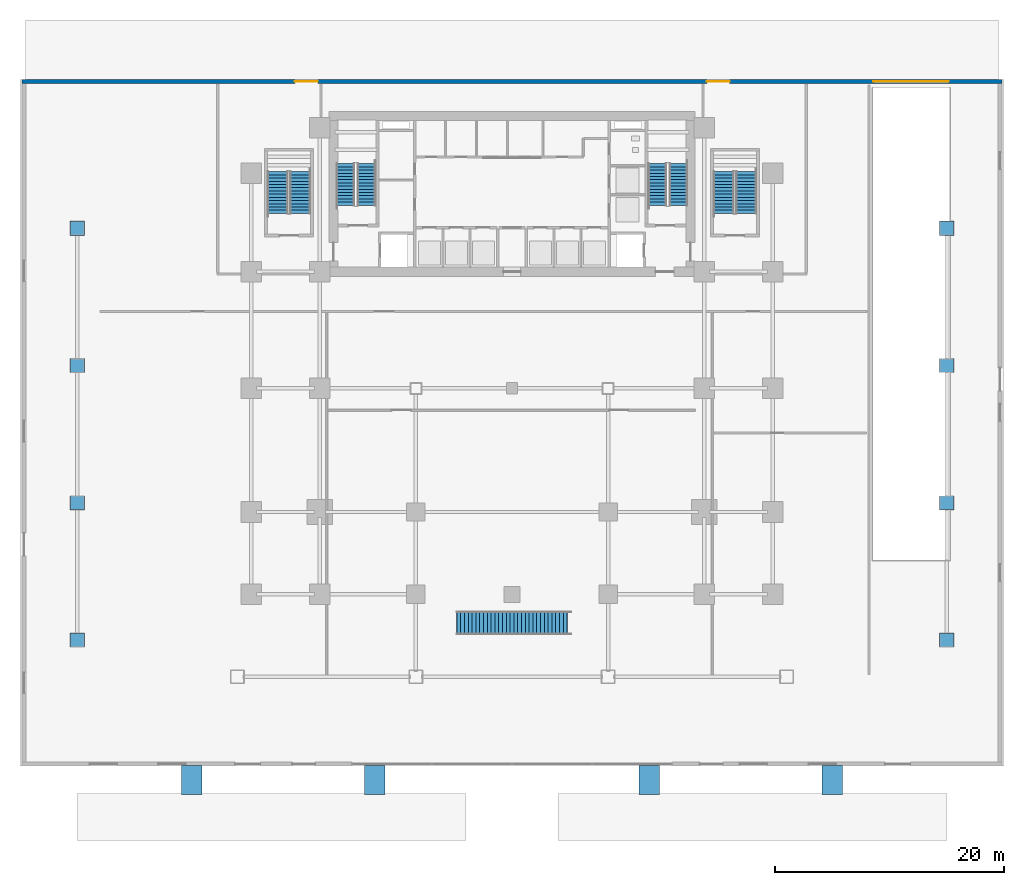
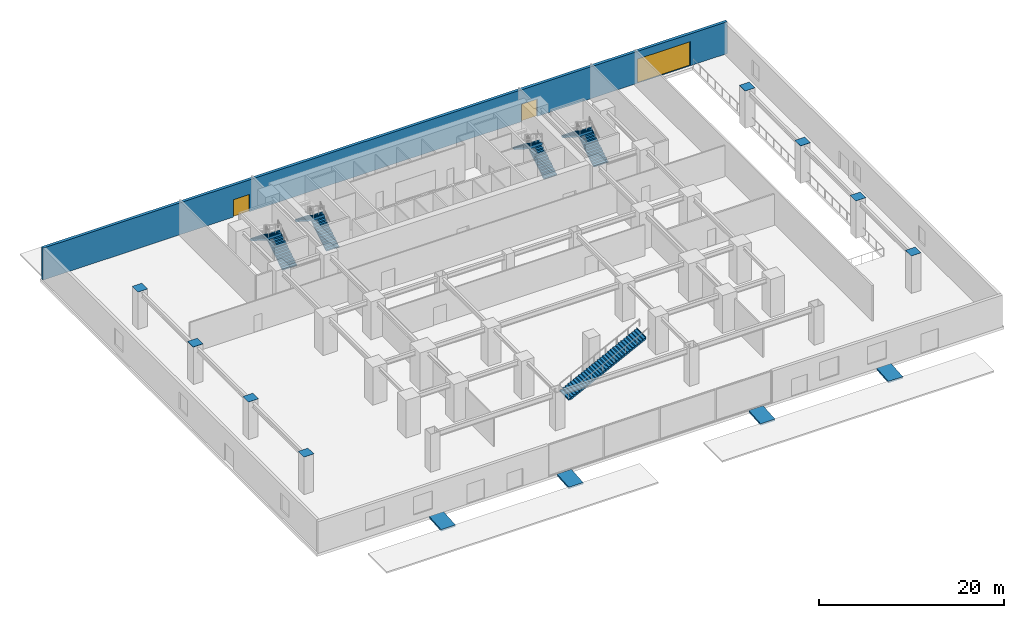
# One storey, part 12 of 18: 9 stair flights, 8 discrete accessories, 4 ramp flights, 3 doors, 1 wall, 3 openings, 9 elements without a shape of their own.
"""IFC4 building model written with IfcOpenShell, lengths in metres."""

from ifc_helpers import new_model, si_unit, direction, frame, frame_2d, origin, origin_2d, place, context, subcontext, project, spatial, polyline, rectangle, outline, extrude, source, transform, mapped, material, layer, layer_set, type_object, element, fill, aggregate, save


model = new_model("IFC4")

# Units and contexts
model_context = context("Model", 3, precision=1e-05, world=origin(), true_north=direction((0.0, 1.0)))
body_context = subcontext(model_context, "Body", "Model", "MODEL_VIEW")
ifc_project = project(units=[si_unit("LENGTHUNIT", "METRE"), si_unit("AREAUNIT", "SQUARE_METRE"), si_unit("VOLUMEUNIT", "CUBIC_METRE"), si_unit("PLANEANGLEUNIT", "RADIAN"), si_unit("MASSUNIT", "GRAM", prefix="KILO")], contexts=[model_context])

# Site, building, storey
site_placement = place(None, origin())
site = spatial("IfcSite", under=ifc_project, at=site_placement, CompositionType="ELEMENT")
building_placement = place(site_placement, origin())
building = spatial("IfcBuilding", under=site, at=building_placement, Name="Sumidabori Civic Tower", CompositionType="ELEMENT")
storey_placement = place(building_placement, origin())
storey = spatial("IfcBuildingStorey", under=building, at=storey_placement, Name="L00", CompositionType="ELEMENT", Elevation=0.0)

# Wall, openings, doors
ifc_material_1 = material(Name="Precast concrete C40/50", Category="concrete")
ifc_layer_1 = layer(ifc_material_1, 0.360107421875, Name="Precast concrete C40/50")
ifc_layer_set_1 = layer_set([ifc_layer_1], Name="Precast concrete C40/50")
wall_type = type_object("IfcWallType", Name="WL-EXT-POD360", PredefinedType="STANDARD", material=ifc_layer_set_1)
shared_shape_1 = source(origin(), body_context, "Body", "SweptSolid", [
    extrude(rectangle(XDim=85.64013671875, YDim=0.360107421875, at=frame_2d((42.820068359375, 0.0))), origin(), (0.0, 0.0, 1.0), 4.219970703125),
])
wall_placement = place(storey_placement, frame((-42.820068359375, 26.820068359375, 0.0), z_axis=(0.0, 0.0, 1.0), x_axis=(1.0, 0.0, 0.0)))
wall = element("IfcWall", 1, at=wall_placement, inside=storey, type_object=wall_type, Name="Podium North Precast Wall", PredefinedType="STANDARD", context=body_context, shape_type="MappedRepresentation", body=[
    mapped(shared_shape_1, transform((0.0, 0.0, 0.0), x_axis=(1.0, 0.0, 0.0), y_axis=(0.0, 1.0, 0.0), z_axis=(0.0, 0.0, 1.0), scale=1.0)),
])
opening_1_placement = place(wall_placement, frame((23.85009765625, 0.0, 0.0)))
opening_1 = element("IfcOpeningElement", 2, at=opening_1_placement, cuts=wall, Name="Opening EX-2", PredefinedType="OPENING", context=body_context, shape_type="SweptSolid", body=[
    extrude(rectangle(XDim=2.0, YDim=2.300048828125, at=frame_2d((1.0, 1.14990234375))), frame((0.0, 0.19189453125, 0.0), z_axis=(0.0, -1.0, 0.0), x_axis=(1.0, 0.0, 0.0)), (0.0, 0.0, 1.0), 0.384033203125),
])
opening_2_placement = place(wall_placement, frame((59.85009765625, 0.0, 0.0)))
opening_2 = element("IfcOpeningElement", 3, at=opening_2_placement, cuts=wall, Name="Opening EX-2", PredefinedType="OPENING", context=body_context, shape_type="SweptSolid", body=[
    extrude(rectangle(XDim=2.0, YDim=2.300048828125, at=frame_2d((1.0, 1.14990234375))), frame((0.0, 0.19189453125, 0.0), z_axis=(0.0, -1.0, 0.0), x_axis=(1.0, 0.0, 0.0)), (0.0, 0.0, 1.0), 0.384033203125),
])
opening_3_placement = place(wall_placement, frame((74.39990234375, 0.0, 0.0)))
opening_3 = element("IfcOpeningElement", 4, at=opening_3_placement, cuts=wall, Name="Opening VG-01", PredefinedType="OPENING", context=body_context, shape_type="SweptSolid", body=[
    extrude(rectangle(XDim=6.60009765625, YDim=3.199951171875, at=frame_2d((3.300048828125, 1.60009765625))), frame((0.0, 0.19189453125, 0.0), z_axis=(0.0, -1.0, 0.0), x_axis=(1.0, 0.0, 0.0)), (0.0, 0.0, 1.0), 0.384033203125),
])
ifc_material_2 = material(Name="Anodised Bronze Aluminium AW-6063-T6", Category="aluminium")
door_type_1 = type_object("IfcDoorType", Name="DR-EXT-EXIT", OperationType="DOUBLE_DOOR_SINGLE_SWING", PredefinedType="DOOR", material=ifc_material_2)
shared_shape_2 = source(origin(), body_context, "Body", "SweptSolid", [
    extrude(rectangle(XDim=2.0, YDim=2.300048828125, at=frame_2d((1.0, 1.14990234375))), frame((0.0, 0.02490234375, 0.0), z_axis=(0.0, -1.0, 0.0), x_axis=(1.0, 0.0, 0.0)), (0.0, 0.0, 1.0), 0.050048828125),
])
door_1_placement = place(opening_1_placement, origin())
door_1 = element("IfcDoor", 5, at=door_1_placement, inside=storey, type_object=door_type_1, Name="Exit Passage West Final Exit Door EX-2", OperationType="DOUBLE_DOOR_SINGLE_SWING", OverallHeight=2.300048828125, OverallWidth=2.0, PredefinedType="DOOR", context=body_context, shape_type="MappedRepresentation", body=[
    mapped(shared_shape_2, transform((0.0, 0.0, 0.0), x_axis=(1.0, 0.0, 0.0), y_axis=(0.0, 1.0, 0.0), z_axis=(0.0, 0.0, 1.0), scale=1.0)),
])
fill(opening_1, door_1)
door_2_placement = place(opening_2_placement, origin())
door_2 = element("IfcDoor", 6, at=door_2_placement, inside=storey, type_object=door_type_1, Name="Exit Passage East Final Exit Door EX-2", OperationType="DOUBLE_DOOR_SINGLE_SWING", OverallHeight=2.300048828125, OverallWidth=2.0, PredefinedType="DOOR", context=body_context, shape_type="MappedRepresentation", body=[
    mapped(shared_shape_2, transform((0.0, 0.0, 0.0), x_axis=(1.0, 0.0, 0.0), y_axis=(0.0, 1.0, 0.0), z_axis=(0.0, 0.0, 1.0), scale=1.0)),
])
fill(opening_2, door_2)
door_type_2 = type_object("IfcDoorType", Name="DR-VG-6600", OperationType="ROLLINGUP", PredefinedType="DOOR", material=ifc_material_2)
shared_shape_3 = source(origin(), body_context, "Body", "SweptSolid", [
    extrude(rectangle(XDim=6.60009765625, YDim=3.199951171875, at=frame_2d((3.300048828125, 1.60009765625))), frame((0.0, 0.02490234375, 0.0), z_axis=(0.0, -1.0, 0.0), x_axis=(1.0, 0.0, 0.0)), (0.0, 0.0, 1.0), 0.050048828125),
])
door_3_placement = place(opening_3_placement, origin())
door_3 = element("IfcDoor", 7, at=door_3_placement, inside=storey, type_object=door_type_2, Name="Vehicle Ramp Roller Shutter Gate VG-01", OperationType="ROLLINGUP", OverallHeight=3.199951171875, OverallWidth=6.60009765625, PredefinedType="DOOR", context=body_context, shape_type="MappedRepresentation", body=[
    mapped(shared_shape_3, transform((0.0, 0.0, 0.0), x_axis=(1.0, 0.0, 0.0), y_axis=(0.0, 1.0, 0.0), z_axis=(0.0, 0.0, 1.0), scale=1.0)),
])
fill(opening_3, door_3)

# Stair, stair flights
ifc_material_3 = material(Name="Concrete C40/50", Category="concrete")
stair_type_1 = type_object("IfcStairType", Name="ST-CORE-1600", PredefinedType="HALF_TURN_STAIR", material=ifc_material_3)
stair_1_placement = place(storey_placement, origin())
stair_1 = element("IfcStair", 8, at=stair_1_placement, inside=storey, type_object=stair_type_1, Name="L00 ST-1", PredefinedType="HALF_TURN_STAIR")
stair_flight_type_1 = type_object("IfcStairFlightType", Name="SF-CORE-1600", PredefinedType="STRAIGHT", material=ifc_material_3)
shared_shape_4 = source(origin(), body_context, "Body", "SweptSolid", [
    extrude(outline(polyline([(-0.02490234375, 0.0), (-0.02490234375, 0.0400390625), (0.0, 0.0400390625), (0.0, 0.178466796875), (0.280029296875, 0.178466796875), (0.280029296875, 0.357177734375), (0.56005859375, 0.357177734375), (0.56005859375, 0.53564453125), (0.840087890625, 0.53564453125), (0.840087890625, 0.71435546875), (1.1201171875, 0.71435546875), (1.1201171875, 0.892822265625), (1.39990234375, 0.892822265625), (1.39990234375, 1.071533203125), (1.679931640625, 1.071533203125), (1.679931640625, 1.25), (1.9599609375, 1.25), (1.9599609375, 1.428466796875), (2.239990234375, 1.428466796875), (2.239990234375, 1.607177734375), (2.52001953125, 1.607177734375), (2.52001953125, 1.78564453125), (2.800048828125, 1.78564453125), (2.800048828125, 1.96435546875), (3.080078125, 1.96435546875), (3.080078125, 2.142822265625), (3.360107421875, 2.142822265625), (3.360107421875, 2.321533203125), (3.639892578125, 2.321533203125), (3.639892578125, 2.5), (3.6650390625, 2.5), (3.6650390625, 2.35009765625), (3.639892578125, 2.1435546875), (0.27880859375, 0.0), (-0.02490234375, 0.0)])), frame((0.0, 0.800048828125, 0.0), z_axis=(0.0, -1.0, 0.0), x_axis=(1.0, 0.0, 0.0)), (0.0, 0.0, 1.0), 1.60009765625),
])
stair_flight_1_placement = place(storey_placement, frame((-12.699951171875, 16.0, 0.0), z_axis=(0.0, 0.0, 1.0), x_axis=(0.0, 1.0, 0.0)))
stair_flight_1 = element("IfcStairFlight", 9, at=stair_flight_1_placement, type_object=stair_flight_type_1, Name="ST-1 flight 1", NumberOfRisers=14, NumberOfTreads=13, PredefinedType="STRAIGHT", RiserHeight=0.178571429, TreadLength=0.28, context=body_context, shape_type="MappedRepresentation", body=[
    mapped(shared_shape_4, transform((0.0, 0.0, 0.0), x_axis=(1.0, 0.0, 0.0), y_axis=(0.0, 1.0, 0.0), z_axis=(0.0, 0.0, 1.0), scale=1.0)),
])
stair_flight_2_placement = place(storey_placement, frame((-14.5400390625, 19.639892578125, 2.5), z_axis=(0.0, 0.0, 1.0), x_axis=(0.0, -1.0, 0.0)))
stair_flight_2 = element("IfcStairFlight", 10, at=stair_flight_2_placement, type_object=stair_flight_type_1, Name="ST-1 flight 2", NumberOfRisers=14, NumberOfTreads=13, PredefinedType="STRAIGHT", RiserHeight=0.178571429, TreadLength=0.28, context=body_context, shape_type="MappedRepresentation", body=[
    mapped(shared_shape_4, transform((0.0, 0.0, 0.0), x_axis=(1.0, 0.0, 0.0), y_axis=(0.0, 1.0, 0.0), z_axis=(0.0, 0.0, 1.0), scale=1.0)),
])
aggregate(stair_1, [stair_flight_1, stair_flight_2])

stair_2_placement = place(storey_placement, origin())
stair_2 = element("IfcStair", 11, at=stair_2_placement, inside=storey, type_object=stair_type_1, Name="L00 ST-2", PredefinedType="HALF_TURN_STAIR")
stair_flight_3_placement = place(storey_placement, frame((14.5400390625, 16.0, 0.0), z_axis=(0.0, 0.0, 1.0), x_axis=(0.0, 1.0, 0.0)))
stair_flight_3 = element("IfcStairFlight", 12, at=stair_flight_3_placement, type_object=stair_flight_type_1, Name="ST-2 flight 1", NumberOfRisers=14, NumberOfTreads=13, PredefinedType="STRAIGHT", RiserHeight=0.178571429, TreadLength=0.28, context=body_context, shape_type="MappedRepresentation", body=[
    mapped(shared_shape_4, transform((0.0, 0.0, 0.0), x_axis=(1.0, 0.0, 0.0), y_axis=(0.0, 1.0, 0.0), z_axis=(0.0, 0.0, 1.0), scale=1.0)),
])
stair_flight_4_placement = place(storey_placement, frame((12.699951171875, 19.639892578125, 2.5), z_axis=(0.0, 0.0, 1.0), x_axis=(0.0, -1.0, 0.0)))
stair_flight_4 = element("IfcStairFlight", 13, at=stair_flight_4_placement, type_object=stair_flight_type_1, Name="ST-2 flight 2", NumberOfRisers=14, NumberOfTreads=13, PredefinedType="STRAIGHT", RiserHeight=0.178571429, TreadLength=0.28, context=body_context, shape_type="MappedRepresentation", body=[
    mapped(shared_shape_4, transform((0.0, 0.0, 0.0), x_axis=(1.0, 0.0, 0.0), y_axis=(0.0, 1.0, 0.0), z_axis=(0.0, 0.0, 1.0), scale=1.0)),
])
aggregate(stair_2, [stair_flight_3, stair_flight_4])

stair_type_2 = type_object("IfcStairType", Name="ST-POD-1800", PredefinedType="HALF_TURN_STAIR", material=ifc_material_3)
stair_3_placement = place(storey_placement, origin())
stair_3 = element("IfcStair", 14, at=stair_3_placement, inside=storey, type_object=stair_type_2, Name="L00 ST-3", PredefinedType="HALF_TURN_STAIR")
stair_flight_type_2 = type_object("IfcStairFlightType", Name="SF-POD-1800", PredefinedType="STRAIGHT", material=ifc_material_3)
shared_shape_5 = source(origin(), body_context, "Body", "SweptSolid", [
    extrude(outline(polyline([(-0.02490234375, 0.0), (-0.02490234375, 0.0400390625), (0.0, 0.0400390625), (0.0, 0.178466796875), (0.280029296875, 0.178466796875), (0.280029296875, 0.357177734375), (0.56005859375, 0.357177734375), (0.56005859375, 0.53564453125), (0.840087890625, 0.53564453125), (0.840087890625, 0.71435546875), (1.1201171875, 0.71435546875), (1.1201171875, 0.892822265625), (1.39990234375, 0.892822265625), (1.39990234375, 1.071533203125), (1.679931640625, 1.071533203125), (1.679931640625, 1.25), (1.9599609375, 1.25), (1.9599609375, 1.428466796875), (2.239990234375, 1.428466796875), (2.239990234375, 1.607177734375), (2.52001953125, 1.607177734375), (2.52001953125, 1.78564453125), (2.800048828125, 1.78564453125), (2.800048828125, 1.96435546875), (3.080078125, 1.96435546875), (3.080078125, 2.142822265625), (3.360107421875, 2.142822265625), (3.360107421875, 2.321533203125), (3.639892578125, 2.321533203125), (3.639892578125, 2.5), (3.6650390625, 2.5), (3.6650390625, 2.35009765625), (3.639892578125, 2.1435546875), (0.27880859375, 0.0), (-0.02490234375, 0.0)])), frame((0.0, 0.89990234375, 0.0), z_axis=(0.0, -1.0, 0.0), x_axis=(1.0, 0.0, 0.0)), (0.0, 0.0, 1.0), 1.800048828125),
])
stair_flight_5_placement = place(storey_placement, frame((-18.5, 15.300048828125, 0.0), z_axis=(0.0, 0.0, 1.0), x_axis=(0.0, 1.0, 0.0)))
stair_flight_5 = element("IfcStairFlight", 15, at=stair_flight_5_placement, type_object=stair_flight_type_2, Name="ST-3 flight 1", NumberOfRisers=14, NumberOfTreads=13, PredefinedType="STRAIGHT", RiserHeight=0.178571429, TreadLength=0.28, context=body_context, shape_type="MappedRepresentation", body=[
    mapped(shared_shape_5, transform((0.0, 0.0, 0.0), x_axis=(1.0, 0.0, 0.0), y_axis=(0.0, 1.0, 0.0), z_axis=(0.0, 0.0, 1.0), scale=1.0)),
])
stair_flight_6_placement = place(storey_placement, frame((-20.4599609375, 18.93994140625, 2.5), z_axis=(0.0, 0.0, 1.0), x_axis=(0.0, -1.0, 0.0)))
stair_flight_6 = element("IfcStairFlight", 16, at=stair_flight_6_placement, type_object=stair_flight_type_2, Name="ST-3 flight 2", NumberOfRisers=14, NumberOfTreads=13, PredefinedType="STRAIGHT", RiserHeight=0.178571429, TreadLength=0.28, context=body_context, shape_type="MappedRepresentation", body=[
    mapped(shared_shape_5, transform((0.0, 0.0, 0.0), x_axis=(1.0, 0.0, 0.0), y_axis=(0.0, 1.0, 0.0), z_axis=(0.0, 0.0, 1.0), scale=1.0)),
])
aggregate(stair_3, [stair_flight_5, stair_flight_6])

stair_4_placement = place(storey_placement, origin())
stair_4 = element("IfcStair", 17, at=stair_4_placement, inside=storey, type_object=stair_type_2, Name="L00 ST-4", PredefinedType="HALF_TURN_STAIR")
stair_flight_7_placement = place(storey_placement, frame((20.4599609375, 15.300048828125, 0.0), z_axis=(0.0, 0.0, 1.0), x_axis=(0.0, 1.0, 0.0)))
stair_flight_7 = element("IfcStairFlight", 18, at=stair_flight_7_placement, type_object=stair_flight_type_2, Name="ST-4 flight 1", NumberOfRisers=14, NumberOfTreads=13, PredefinedType="STRAIGHT", RiserHeight=0.178571429, TreadLength=0.28, context=body_context, shape_type="MappedRepresentation", body=[
    mapped(shared_shape_5, transform((0.0, 0.0, 0.0), x_axis=(1.0, 0.0, 0.0), y_axis=(0.0, 1.0, 0.0), z_axis=(0.0, 0.0, 1.0), scale=1.0)),
])
stair_flight_8_placement = place(storey_placement, frame((18.5, 18.93994140625, 2.5), z_axis=(0.0, 0.0, 1.0), x_axis=(0.0, -1.0, 0.0)))
stair_flight_8 = element("IfcStairFlight", 19, at=stair_flight_8_placement, type_object=stair_flight_type_2, Name="ST-4 flight 2", NumberOfRisers=14, NumberOfTreads=13, PredefinedType="STRAIGHT", RiserHeight=0.178571429, TreadLength=0.28, context=body_context, shape_type="MappedRepresentation", body=[
    mapped(shared_shape_5, transform((0.0, 0.0, 0.0), x_axis=(1.0, 0.0, 0.0), y_axis=(0.0, 1.0, 0.0), z_axis=(0.0, 0.0, 1.0), scale=1.0)),
])
aggregate(stair_4, [stair_flight_7, stair_flight_8])

# Stair, stair flight
stair_type_3 = type_object("IfcStairType", Name="ST-POD-2000", PredefinedType="STRAIGHT_RUN_STAIR", material=ifc_material_3)
stair_5_placement = place(storey_placement, origin())
stair_5 = element("IfcStair", 20, at=stair_5_placement, inside=storey, type_object=stair_type_3, Name="Feature Stair ST:L00:ATR-1", PredefinedType="STRAIGHT_RUN_STAIR")
stair_flight_type_3 = type_object("IfcStairFlightType", Name="SF-POD-2000", PredefinedType="STRAIGHT", material=ifc_material_3)
shared_shape_6 = source(origin(), body_context, "Body", "SweptSolid", [
    extrude(outline(polyline([(-0.02490234375, 0.0), (-0.02490234375, 0.0400390625), (0.0, 0.0400390625), (0.0, 0.166748046875), (0.33251953125, 0.166748046875), (0.33251953125, 0.333251953125), (0.664794921875, 0.333251953125), (0.664794921875, 0.5), (0.997314453125, 0.5), (0.997314453125, 0.666748046875), (1.32958984375, 0.666748046875), (1.32958984375, 0.833251953125), (1.662109375, 0.833251953125), (1.662109375, 1.0), (1.994384765625, 1.0), (1.994384765625, 1.166748046875), (2.326904296875, 1.166748046875), (2.326904296875, 1.333251953125), (2.659423828125, 1.333251953125), (2.659423828125, 1.5), (2.99169921875, 1.5), (2.99169921875, 1.666748046875), (3.32421875, 1.666748046875), (3.32421875, 1.833251953125), (3.656494140625, 1.833251953125), (3.656494140625, 2.0), (3.989013671875, 2.0), (3.989013671875, 2.166748046875), (4.3212890625, 2.166748046875), (4.3212890625, 2.333251953125), (4.65380859375, 2.333251953125), (4.65380859375, 2.5), (4.986328125, 2.5), (4.986328125, 2.666748046875), (5.318603515625, 2.666748046875), (5.318603515625, 2.833251953125), (5.651123046875, 2.833251953125), (5.651123046875, 3.0), (5.9833984375, 3.0), (5.9833984375, 3.166748046875), (6.31591796875, 3.166748046875), (6.31591796875, 3.333251953125), (6.648193359375, 3.333251953125), (6.648193359375, 3.5), (6.980712890625, 3.5), (6.980712890625, 3.666748046875), (7.31298828125, 3.666748046875), (7.31298828125, 3.833251953125), (7.6455078125, 3.833251953125), (7.6455078125, 4.0), (7.97802734375, 4.0), (7.97802734375, 4.166748046875), (8.310302734375, 4.166748046875), (8.310302734375, 4.333251953125), (8.642822265625, 4.333251953125), (8.642822265625, 4.5), (8.97509765625, 4.5), (8.97509765625, 4.666748046875), (9.3076171875, 4.666748046875), (9.3076171875, 4.833251953125), (9.639892578125, 4.833251953125), (9.639892578125, 5.0), (9.6650390625, 5.0), (9.6650390625, 4.85009765625), (9.639892578125, 4.66552734375), (0.33447265625, 0.0), (-0.02490234375, 0.0)])), frame((0.0, 1.0, 0.0), z_axis=(0.0, -1.0, 0.0), x_axis=(1.0, 0.0, 0.0)), (0.0, 0.0, 1.0), 2.0),
])
stair_flight_9_placement = place(storey_placement, frame((-4.820068359375, -20.5, 0.0), z_axis=(0.0, 0.0, 1.0), x_axis=(1.0, 0.0, 0.0)))
stair_flight_9 = element("IfcStairFlight", 21, at=stair_flight_9_placement, type_object=stair_flight_type_3, Name="ST-P1 flight 1", NumberOfRisers=30, NumberOfTreads=29, PredefinedType="STRAIGHT", RiserHeight=0.166666667, TreadLength=0.332413793, context=body_context, shape_type="MappedRepresentation", body=[
    mapped(shared_shape_6, transform((0.0, 0.0, 0.0), x_axis=(1.0, 0.0, 0.0), y_axis=(0.0, 1.0, 0.0), z_axis=(0.0, 0.0, 1.0), scale=1.0)),
])
aggregate(stair_5, [stair_flight_9])

# Ramp, ramp flight
ramp_type = type_object("IfcRampType", Name="RM-ACC-1800", PredefinedType="STRAIGHT_RUN_RAMP", material=ifc_material_3)
ramp_1_placement = place(storey_placement, origin())
ramp_1 = element("IfcRamp", 22, at=ramp_1_placement, inside=storey, type_object=ramp_type, Name="Accessible Forecourt Ramp RA-1", PredefinedType="STRAIGHT_RUN_RAMP")
ifc_layer_2 = layer(ifc_material_3, 0.219970703125, Name="Concrete C40/50")
ifc_layer_set_2 = layer_set([ifc_layer_2], Name="Concrete C40/50")
ramp_flight_type = type_object("IfcRampFlightType", Name="RF-ACC-1800", PredefinedType="STRAIGHT", material=ifc_layer_set_2)
ramp_flight_1_placement = place(storey_placement, frame((-28.0, -35.47998046875, -0.199951171875), z_axis=(0.0, 0.0, 1.0), x_axis=(0.0, 1.0, 0.0)))
ramp_flight_1 = element("IfcRampFlight", 23, at=ramp_flight_1_placement, type_object=ramp_flight_type, Name="Accessible Forecourt Ramp Flight RFA-1", PredefinedType="STRAIGHT", context=body_context, shape_type="SweptSolid", body=[
    extrude(outline(polyline([(-0.02490234375, 0.0), (-0.02490234375, -0.219970703125), (2.544921875, -0.02001953125), (2.544921875, 0.199951171875), (-0.02490234375, 0.0)])), frame((0.0, 0.89990234375, 0.0), z_axis=(0.0, -1.0, 0.0), x_axis=(1.0, 0.0, 0.0)), (0.0, 0.0, 1.0), 1.800048828125),
])
aggregate(ramp_1, [ramp_flight_1])

ramp_2_placement = place(storey_placement, origin())
ramp_2 = element("IfcRamp", 24, at=ramp_2_placement, inside=storey, type_object=ramp_type, Name="Accessible Forecourt Ramp RA-2", PredefinedType="STRAIGHT_RUN_RAMP")
ramp_flight_2_placement = place(storey_placement, frame((-12.0, -35.47998046875, -0.199951171875), z_axis=(0.0, 0.0, 1.0), x_axis=(0.0, 1.0, 0.0)))
ramp_flight_2 = element("IfcRampFlight", 25, at=ramp_flight_2_placement, type_object=ramp_flight_type, Name="Accessible Forecourt Ramp Flight RFA-2", PredefinedType="STRAIGHT", context=body_context, shape_type="SweptSolid", body=[
    extrude(outline(polyline([(-0.02490234375, 0.0), (-0.02490234375, -0.219970703125), (2.544921875, -0.02001953125), (2.544921875, 0.199951171875), (-0.02490234375, 0.0)])), frame((0.0, 0.89990234375, 0.0), z_axis=(0.0, -1.0, 0.0), x_axis=(1.0, 0.0, 0.0)), (0.0, 0.0, 1.0), 1.800048828125),
])
aggregate(ramp_2, [ramp_flight_2])

ramp_3_placement = place(storey_placement, origin())
ramp_3 = element("IfcRamp", 26, at=ramp_3_placement, inside=storey, type_object=ramp_type, Name="Accessible Forecourt Ramp RA-3", PredefinedType="STRAIGHT_RUN_RAMP")
ramp_flight_3_placement = place(storey_placement, frame((12.0, -35.47998046875, -0.199951171875), z_axis=(0.0, 0.0, 1.0), x_axis=(0.0, 1.0, 0.0)))
ramp_flight_3 = element("IfcRampFlight", 27, at=ramp_flight_3_placement, type_object=ramp_flight_type, Name="Accessible Forecourt Ramp Flight RFA-3", PredefinedType="STRAIGHT", context=body_context, shape_type="SweptSolid", body=[
    extrude(outline(polyline([(-0.02490234375, 0.0), (-0.02490234375, -0.219970703125), (2.544921875, -0.02001953125), (2.544921875, 0.199951171875), (-0.02490234375, 0.0)])), frame((0.0, 0.89990234375, 0.0), z_axis=(0.0, -1.0, 0.0), x_axis=(1.0, 0.0, 0.0)), (0.0, 0.0, 1.0), 1.800048828125),
])
aggregate(ramp_3, [ramp_flight_3])

ramp_4_placement = place(storey_placement, origin())
ramp_4 = element("IfcRamp", 28, at=ramp_4_placement, inside=storey, type_object=ramp_type, Name="Accessible Forecourt Ramp RA-4", PredefinedType="STRAIGHT_RUN_RAMP")
ramp_flight_4_placement = place(storey_placement, frame((28.0, -35.47998046875, -0.199951171875), z_axis=(0.0, 0.0, 1.0), x_axis=(0.0, 1.0, 0.0)))
ramp_flight_4 = element("IfcRampFlight", 29, at=ramp_flight_4_placement, type_object=ramp_flight_type, Name="Accessible Forecourt Ramp Flight RFA-4", PredefinedType="STRAIGHT", context=body_context, shape_type="SweptSolid", body=[
    extrude(outline(polyline([(-0.02490234375, 0.0), (-0.02490234375, -0.219970703125), (2.544921875, -0.02001953125), (2.544921875, 0.199951171875), (-0.02490234375, 0.0)])), frame((0.0, 0.89990234375, 0.0), z_axis=(0.0, -1.0, 0.0), x_axis=(1.0, 0.0, 0.0)), (0.0, 0.0, 1.0), 1.800048828125),
])
aggregate(ramp_4, [ramp_flight_4])

# Discrete accessories
ifc_material_4 = material(Name="Steel SM570", Category="steel")
ifc_layer_3 = layer(ifc_material_4, 0.028076171875, Name="Steel SM570")
ifc_layer_set_3 = layer_set([ifc_layer_3], Name="Steel SM570")
discrete_accessory_type = type_object("IfcDiscreteAccessoryType", Name="AC-CAP-SM570", PredefinedType="USERDEFINED", material=ifc_layer_set_3)
shared_shape_7 = source(origin(), body_context, "Body", "SweptSolid", [
    extrude(rectangle(XDim=1.239990234375, YDim=1.239990234375, at=origin_2d()), origin(), (0.0, 0.0, 1.0), 0.028076171875),
])
for number, where, z_axis, x_axis, name in (
    (30, (-38.0, -22.0, 4.9658203125), (0.0, 0.0, 1.0), (1.0, 0.0, 0.0), "Hollow Section End Cap Plate PC-W1"),
    (31, (-38.0, -10.0, 4.9658203125), (0.0, 0.0, 1.0), (1.0, 0.0, 0.0), "Hollow Section End Cap Plate PC-W2"),
    (32, (-38.0, 2.0, 4.9658203125), (0.0, 0.0, 1.0), (1.0, 0.0, 0.0), "Hollow Section End Cap Plate PC-W3"),
    (33, (-38.0, 14.0, 4.9658203125), (0.0, 0.0, 1.0), (1.0, 0.0, 0.0), "Hollow Section End Cap Plate PC-W4"),
    (34, (38.0, -22.0, 4.9658203125), (0.0, 0.0, 1.0), (1.0, 0.0, 0.0), "Hollow Section End Cap Plate PC-E1"),
    (35, (38.0, -10.0, 4.9658203125), (0.0, 0.0, 1.0), (1.0, 0.0, 0.0), "Hollow Section End Cap Plate PC-E2"),
    (36, (38.0, 2.0, 4.9658203125), (0.0, 0.0, 1.0), (1.0, 0.0, 0.0), "Hollow Section End Cap Plate PC-E3"),
    (37, (38.0, 14.0, 4.9658203125), (0.0, 0.0, 1.0), (1.0, 0.0, 0.0), "Hollow Section End Cap Plate PC-E4"),
):
    element("IfcDiscreteAccessory", number, at=place(storey_placement, frame(where, z_axis=z_axis, x_axis=x_axis)), inside=storey, type_object=discrete_accessory_type, Name=name, ObjectType="End Cap Plate", PredefinedType="USERDEFINED", context=body_context, shape_type="MappedRepresentation", body=[
        mapped(shared_shape_7, transform((0.0, 0.0, 0.0), x_axis=(1.0, 0.0, 0.0), y_axis=(0.0, 1.0, 0.0), z_axis=(0.0, 0.0, 1.0), scale=1.0)),
    ])

save(model, "model.ifc")
